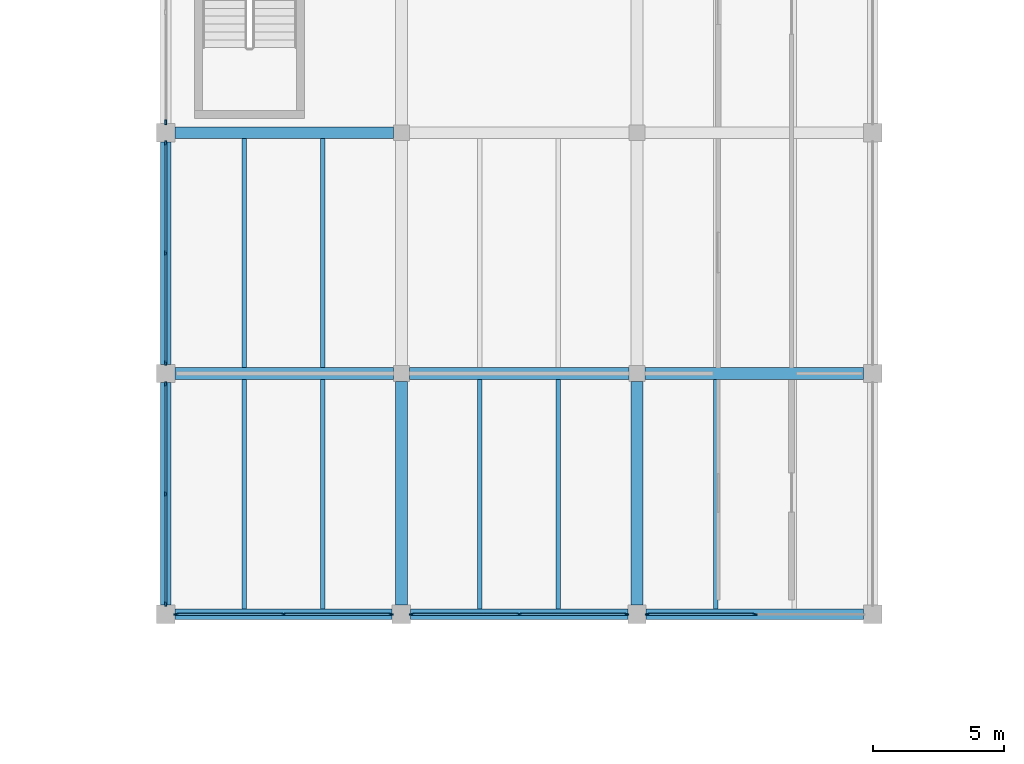
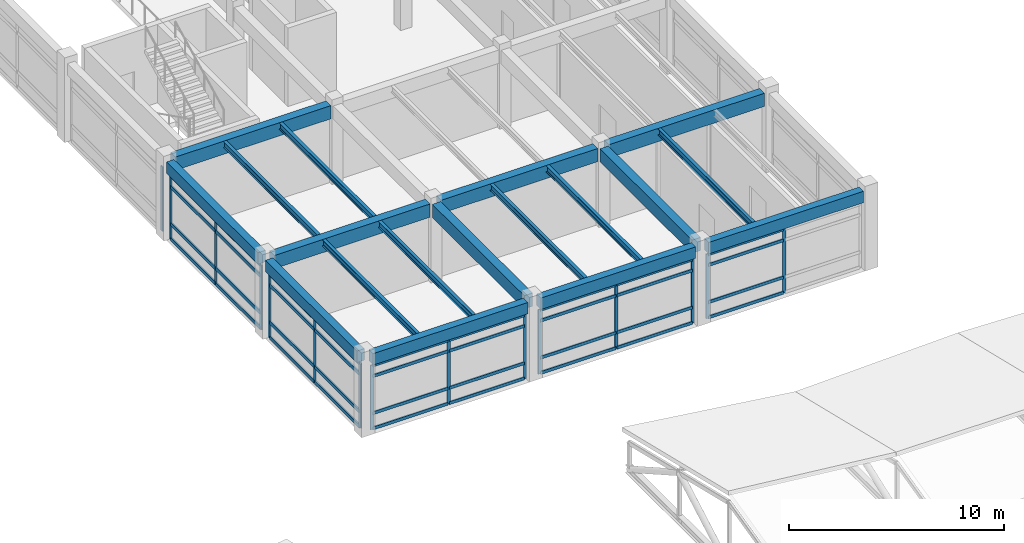
# One storey, part 27 of 90: 51 members, 18 beams, 6 elements without a shape of their own.
"""IFC4 building model written with IfcOpenShell, lengths in metres."""

from ifc_helpers import new_model, si_unit, direction, frame, origin, origin_2d, place, context, subcontext, project, spatial, rectangle, i_section, extrude, material, material_profile, profile_set, type_object, element, aggregate, save


model = new_model("IFC4")

# Units and contexts
model_context = context("Model", 3, precision=1e-05, world=origin(), true_north=direction((0.0, 1.0)))
body_context = subcontext(model_context, "Body", "Model", "MODEL_VIEW")
ifc_project = project(units=[si_unit("LENGTHUNIT", "METRE"), si_unit("AREAUNIT", "SQUARE_METRE"), si_unit("VOLUMEUNIT", "CUBIC_METRE"), si_unit("PLANEANGLEUNIT", "RADIAN"), si_unit("MASSUNIT", "GRAM", prefix="KILO")], contexts=[model_context])

# Site, building, storey
site_placement = place(None, origin())
site = spatial("IfcSite", under=ifc_project, at=site_placement, CompositionType="ELEMENT")
building_placement = place(site_placement, origin())
building = spatial("IfcBuilding", under=site, at=building_placement, Name="Bozkorgan Art Gallery", CompositionType="ELEMENT")
storey_placement = place(building_placement, frame((0.0, 0.0, 5.39990234375)))
storey = spatial("IfcBuildingStorey", under=building, at=storey_placement, Name="L01", CompositionType="ELEMENT", Elevation=5.39990234375)

# Beams
ifc_material_1 = material(Name="Concrete C35/45", Category="concrete")
ifc_material_profile_1 = material_profile(ifc_material_1, rectangle(XDim=0.449951171875, YDim=0.75, at=origin_2d()), Name="RC 450x750")
ifc_profile_set_1 = profile_set([ifc_material_profile_1], Name="Concrete C35/45")
beam_type_1 = type_object("IfcBeamType", Name="BEAM-BM-27", PredefinedType="BEAM", material=ifc_profile_set_1)
beam_1_placement = place(storey_placement, frame((74.35009765625, 47.60009765625, 4.065185546875), z_axis=(1.0, 0.0, 0.0), x_axis=(0.0, 1.0, 0.0)))
element("IfcBeam", 1, at=beam_1_placement, inside=storey, type_object=beam_type_1, Name="V4 L01 beam X (74-83, 47.6)", PredefinedType="BEAM", context=body_context, shape_type="SweptSolid", body=[
    extrude(rectangle(XDim=0.449951171875, YDim=0.75, at=origin_2d()), origin(), (0.0, 0.0, 1.0), 8.349853515625),
])
beam_2_placement = place(storey_placement, frame((83.300048828125, 47.60009765625, 4.065185546875), z_axis=(1.0, 0.0, 0.0), x_axis=(0.0, 1.0, 0.0)))
element("IfcBeam", 2, at=beam_2_placement, inside=storey, type_object=beam_type_1, Name="V4 L01 beam X (83-92, 47.6)", PredefinedType="BEAM", context=body_context, shape_type="SweptSolid", body=[
    extrude(rectangle(XDim=0.449951171875, YDim=0.75, at=origin_2d()), origin(), (0.0, 0.0, 1.0), 8.39990234375),
])
for number, where, z_axis, x_axis, name in (
    (3, (92.300048828125, 47.60009765625, 4.065185546875), (1.0, 0.0, 0.0), (0.0, 1.0, 0.0), "V4 L01 beam X (92-101, 47.6)"),
    (4, (74.35009765625, 56.800048828125, 4.065185546875), (1.0, 0.0, 0.0), (0.0, 1.0, 0.0), "V4 L01 beam X (74-83, 56.8)"),
):
    element("IfcBeam", number, at=place(storey_placement, frame(where, z_axis=z_axis, x_axis=x_axis)), inside=storey, type_object=beam_type_1, Name=name, PredefinedType="BEAM", context=body_context, shape_type="SweptSolid", body=[
        extrude(rectangle(XDim=0.449951171875, YDim=0.75, at=origin_2d()), origin(), (0.0, 0.0, 1.0), 8.349853515625),
    ])
for number, where, z_axis, x_axis, name in (
    (5, (83.0, 38.75, 4.065185546875), (0.0, 1.0, 0.0), (-1.0, 0.0, 0.0), "V4 L01 beam Y (83, 38.4-47.6)"),
    (6, (92.0, 38.75, 4.065185546875), (0.0, 1.0, 0.0), (-1.0, 0.0, 0.0), "V4 L01 beam Y (92, 38.4-47.6)"),
):
    element("IfcBeam", number, at=place(storey_placement, frame(where, z_axis=z_axis, x_axis=x_axis)), inside=storey, type_object=beam_type_1, Name=name, PredefinedType="BEAM", context=body_context, shape_type="SweptSolid", body=[
        extrude(rectangle(XDim=0.449951171875, YDim=0.75, at=origin_2d()), origin(), (0.0, 0.0, 1.0), 8.550048828125),
    ])
ifc_material_2 = material(Name="Steel S355J2", Category="steel")
ifc_material_profile_2 = material_profile(ifc_material_2, i_section(OverallWidth=0.169921875, OverallDepth=0.360107421875, WebThickness=0.008056640625, FlangeThickness=0.0126953125, FilletRadius=0.01806640625, at=origin_2d()), Name="IPE 360")
ifc_profile_set_2 = profile_set([ifc_material_profile_2], Name="Steel S355J2")
beam_type_2 = type_object("IfcBeamType", Name="BEAM-JS-98", PredefinedType="JOIST", material=ifc_profile_set_2)
for number, where, z_axis, x_axis, name in (
    (7, (77.0, 38.60009765625, 4.260009765625), (0.0, 1.0, 0.0), (-1.0, 0.0, 0.0), "V4 L01 secondary joist (74-83, 38.4-47.6) #1"),
    (8, (80.0, 38.60009765625, 4.260009765625), (0.0, 1.0, 0.0), (-1.0, 0.0, 0.0), "V4 L01 secondary joist (74-83, 38.4-47.6) #2"),
):
    element("IfcBeam", number, at=place(storey_placement, frame(where, z_axis=z_axis, x_axis=x_axis)), inside=storey, type_object=beam_type_2, Name=name, PredefinedType="JOIST", context=body_context, shape_type="SweptSolid", body=[
        extrude(i_section(OverallWidth=0.169921875, OverallDepth=0.360107421875, WebThickness=0.008056640625, FlangeThickness=0.0126953125, FilletRadius=0.01806640625, at=origin_2d()), origin(), (0.0, 0.0, 1.0), 8.77490234375),
    ])
for number, where, z_axis, x_axis, name in (
    (9, (77.0, 47.824951171875, 4.260009765625), (0.0, 1.0, 0.0), (-1.0, 0.0, 0.0), "V4 L01 secondary joist (74-83, 47.6-56.8) #1"),
    (10, (80.0, 47.824951171875, 4.260009765625), (0.0, 1.0, 0.0), (-1.0, 0.0, 0.0), "V4 L01 secondary joist (74-83, 47.6-56.8) #2"),
):
    element("IfcBeam", number, at=place(storey_placement, frame(where, z_axis=z_axis, x_axis=x_axis)), inside=storey, type_object=beam_type_2, Name=name, PredefinedType="JOIST", context=body_context, shape_type="SweptSolid", body=[
        extrude(i_section(OverallWidth=0.169921875, OverallDepth=0.360107421875, WebThickness=0.008056640625, FlangeThickness=0.0126953125, FilletRadius=0.01806640625, at=origin_2d()), origin(), (0.0, 0.0, 1.0), 8.75),
    ])
for number, where, z_axis, x_axis, name in (
    (11, (86.0, 38.60009765625, 4.260009765625), (0.0, 1.0, 0.0), (-1.0, 0.0, 0.0), "V4 L01 secondary joist (83-92, 38.4-47.6) #1"),
    (12, (89.0, 38.60009765625, 4.260009765625), (0.0, 1.0, 0.0), (-1.0, 0.0, 0.0), "V4 L01 secondary joist (83-92, 38.4-47.6) #2"),
    (13, (95.0, 38.60009765625, 4.260009765625), (0.0, 1.0, 0.0), (-1.0, 0.0, 0.0), "V4 L01 secondary joist (92-101, 38.4-47.6) #1"),
):
    element("IfcBeam", number, at=place(storey_placement, frame(where, z_axis=z_axis, x_axis=x_axis)), inside=storey, type_object=beam_type_2, Name=name, PredefinedType="JOIST", context=body_context, shape_type="SweptSolid", body=[
        extrude(i_section(OverallWidth=0.169921875, OverallDepth=0.360107421875, WebThickness=0.008056640625, FlangeThickness=0.0126953125, FilletRadius=0.01806640625, at=origin_2d()), origin(), (0.0, 0.0, 1.0), 8.77490234375),
    ])
ifc_material_profile_3 = material_profile(ifc_material_1, rectangle(XDim=0.39990234375, YDim=0.64990234375, at=origin_2d()), Name="RC 400x650")
ifc_profile_set_3 = profile_set([ifc_material_profile_3], Name="Concrete C35/45")
beam_type_3 = type_object("IfcBeamType", Name="BEAM-SP-69", PredefinedType="SPANDREL", material=ifc_profile_set_3)
for number, where, z_axis, x_axis, name in (
    (14, (74.35009765625, 38.39990234375, 4.114990234375), (1.0, 0.0, 0.0), (0.0, 1.0, 0.0), "V4 L01 spandrel X (74-83, 38.4)"),
    (15, (83.35009765625, 38.39990234375, 4.114990234375), (1.0, 0.0, 0.0), (0.0, 1.0, 0.0), "V4 L01 spandrel X (83-92, 38.4)"),
    (16, (92.35009765625, 38.39990234375, 4.114990234375), (1.0, 0.0, 0.0), (0.0, 1.0, 0.0), "V4 L01 spandrel X (92-101, 38.4)"),
):
    element("IfcBeam", number, at=place(storey_placement, frame(where, z_axis=z_axis, x_axis=x_axis)), inside=storey, type_object=beam_type_3, Name=name, PredefinedType="SPANDREL", context=body_context, shape_type="SweptSolid", body=[
        extrude(rectangle(XDim=0.39990234375, YDim=0.64990234375, at=origin_2d()), origin(), (0.0, 0.0, 1.0), 8.2998046875),
    ])
for number, where, z_axis, x_axis, name in (
    (17, (74.0, 38.75, 4.114990234375), (0.0, 1.0, 0.0), (-1.0, 0.0, 0.0), "V4 L01 spandrel Y (74, 38.4-47.6)"),
    (18, (74.0, 47.949951171875, 4.114990234375), (0.0, 1.0, 0.0), (-1.0, 0.0, 0.0), "V4 L01 spandrel Y (74, 47.6-56.8)"),
):
    element("IfcBeam", number, at=place(storey_placement, frame(where, z_axis=z_axis, x_axis=x_axis)), inside=storey, type_object=beam_type_3, Name=name, PredefinedType="SPANDREL", context=body_context, shape_type="SweptSolid", body=[
        extrude(rectangle(XDim=0.39990234375, YDim=0.64990234375, at=origin_2d()), origin(), (0.0, 0.0, 1.0), 8.5),
    ])

# Curtain wall, members
ifc_material_3 = material(Name="Anodised Bronze Aluminium", Category="aluminium")
curtain_wall_type_1 = type_object("IfcCurtainWallType", Name="CW-CW-19", PredefinedType="NOTDEFINED", material=ifc_material_3)
curtain_wall_1_placement = place(storey_placement, origin())
curtain_wall_1 = element("IfcCurtainWall", 19, at=curtain_wall_1_placement, inside=storey, type_object=curtain_wall_type_1, Name="L01 unitised curtain wall CW-V4-L01-1S-01", PredefinedType="NOTDEFINED")
ifc_material_profile_4 = material_profile(ifc_material_3, rectangle(XDim=0.06494140625, YDim=0.179931640625, at=origin_2d()), Name="ALU MULLION 65x180")
ifc_profile_set_4 = profile_set([ifc_material_profile_4], Name="Anodised Bronze Aluminium")
member_type_1 = type_object("IfcMemberType", Name="CWM-01", PredefinedType="MULLION", material=ifc_profile_set_4)
member_1_placement = place(storey_placement, frame((74.3974609375, 38.39990234375, 0.02001953125), z_axis=(0.0, 0.0, 1.0), x_axis=(0.0, 1.0, 0.0)))
member_1 = element("IfcMember", 20, at=member_1_placement, type_object=member_type_1, Name="CW-19 mullion 1", PredefinedType="MULLION", context=body_context, shape_type="SweptSolid", body=[
    extrude(rectangle(XDim=0.06494140625, YDim=0.179931640625, at=origin_2d()), origin(), (0.0, 0.0, 1.0), 3.655029296875),
])
member_2_placement = place(storey_placement, frame((78.5, 38.39990234375, 0.02001953125), z_axis=(0.0, 0.0, 1.0), x_axis=(0.0, 1.0, 0.0)))
member_2 = element("IfcMember", 21, at=member_2_placement, type_object=member_type_1, Name="CW-19 mullion 2", PredefinedType="MULLION", context=body_context, shape_type="SweptSolid", body=[
    extrude(rectangle(XDim=0.06494140625, YDim=0.179931640625, at=origin_2d()), origin(), (0.0, 0.0, 1.0), 3.655029296875),
])
member_3_placement = place(storey_placement, frame((82.6025390625, 38.39990234375, 0.02001953125), z_axis=(0.0, 0.0, 1.0), x_axis=(0.0, 1.0, 0.0)))
member_3 = element("IfcMember", 22, at=member_3_placement, type_object=member_type_1, Name="CW-19 mullion 3", PredefinedType="MULLION", context=body_context, shape_type="SweptSolid", body=[
    extrude(rectangle(XDim=0.06494140625, YDim=0.179931640625, at=origin_2d()), origin(), (0.0, 0.0, 1.0), 3.655029296875),
])

curtain_wall_2_placement = place(storey_placement, origin())
curtain_wall_2 = element("IfcCurtainWall", 23, at=curtain_wall_2_placement, inside=storey, type_object=curtain_wall_type_1, Name="L01 unitised curtain wall CW-V4-L01-1S-03", PredefinedType="NOTDEFINED")
member_4_placement = place(storey_placement, frame((83.3974609375, 38.39990234375, 0.02001953125), z_axis=(0.0, 0.0, 1.0), x_axis=(0.0, 1.0, 0.0)))
member_4 = element("IfcMember", 24, at=member_4_placement, type_object=member_type_1, Name="CW-19 mullion 1", PredefinedType="MULLION", context=body_context, shape_type="SweptSolid", body=[
    extrude(rectangle(XDim=0.06494140625, YDim=0.179931640625, at=origin_2d()), origin(), (0.0, 0.0, 1.0), 3.655029296875),
])
member_5_placement = place(storey_placement, frame((87.5, 38.39990234375, 0.02001953125), z_axis=(0.0, 0.0, 1.0), x_axis=(0.0, 1.0, 0.0)))
member_5 = element("IfcMember", 25, at=member_5_placement, type_object=member_type_1, Name="CW-19 mullion 2", PredefinedType="MULLION", context=body_context, shape_type="SweptSolid", body=[
    extrude(rectangle(XDim=0.06494140625, YDim=0.179931640625, at=origin_2d()), origin(), (0.0, 0.0, 1.0), 3.655029296875),
])
member_6_placement = place(storey_placement, frame((91.6025390625, 38.39990234375, 0.02001953125), z_axis=(0.0, 0.0, 1.0), x_axis=(0.0, 1.0, 0.0)))
member_6 = element("IfcMember", 26, at=member_6_placement, type_object=member_type_1, Name="CW-19 mullion 3", PredefinedType="MULLION", context=body_context, shape_type="SweptSolid", body=[
    extrude(rectangle(XDim=0.06494140625, YDim=0.179931640625, at=origin_2d()), origin(), (0.0, 0.0, 1.0), 3.655029296875),
])

curtain_wall_3_placement = place(storey_placement, origin())
curtain_wall_3 = element("IfcCurtainWall", 27, at=curtain_wall_3_placement, inside=storey, type_object=curtain_wall_type_1, Name="L01 unitised curtain wall CW-V4-L01-1S-05", PredefinedType="NOTDEFINED")
member_7_placement = place(storey_placement, frame((92.3974609375, 38.39990234375, 0.02001953125), z_axis=(0.0, 0.0, 1.0), x_axis=(0.0, 1.0, 0.0)))
member_7 = element("IfcMember", 28, at=member_7_placement, type_object=member_type_1, Name="CW-19 mullion 1", PredefinedType="MULLION", context=body_context, shape_type="SweptSolid", body=[
    extrude(rectangle(XDim=0.06494140625, YDim=0.179931640625, at=origin_2d()), origin(), (0.0, 0.0, 1.0), 3.655029296875),
])
member_8_placement = place(storey_placement, frame((96.5, 38.39990234375, 0.02001953125), z_axis=(0.0, 0.0, 1.0), x_axis=(0.0, 1.0, 0.0)))
member_8 = element("IfcMember", 29, at=member_8_placement, type_object=member_type_1, Name="CW-19 mullion 2", PredefinedType="MULLION", context=body_context, shape_type="SweptSolid", body=[
    extrude(rectangle(XDim=0.06494140625, YDim=0.179931640625, at=origin_2d()), origin(), (0.0, 0.0, 1.0), 3.655029296875),
])

curtain_wall_type_2 = type_object("IfcCurtainWallType", Name="CW-CW-16", PredefinedType="NOTDEFINED", material=ifc_material_3)
curtain_wall_4_placement = place(storey_placement, origin())
curtain_wall_4 = element("IfcCurtainWall", 30, at=curtain_wall_4_placement, inside=storey, type_object=curtain_wall_type_2, Name="L01 unitised curtain wall CW-V4-L01-1W-07", PredefinedType="NOTDEFINED")
member_9_placement = place(storey_placement, frame((74.0, 38.797607421875, 0.02001953125), z_axis=(0.0, 0.0, 1.0), x_axis=(-1.0, 0.0, 0.0)))
member_9 = element("IfcMember", 31, at=member_9_placement, type_object=member_type_1, Name="CW-16 mullion 1", PredefinedType="MULLION", context=body_context, shape_type="SweptSolid", body=[
    extrude(rectangle(XDim=0.06494140625, YDim=0.179931640625, at=origin_2d()), origin(), (0.0, 0.0, 1.0), 3.655029296875),
])
member_10_placement = place(storey_placement, frame((74.0, 43.0, 0.02001953125), z_axis=(0.0, 0.0, 1.0), x_axis=(-1.0, 0.0, 0.0)))
member_10 = element("IfcMember", 32, at=member_10_placement, type_object=member_type_1, Name="CW-16 mullion 2", PredefinedType="MULLION", context=body_context, shape_type="SweptSolid", body=[
    extrude(rectangle(XDim=0.06494140625, YDim=0.179931640625, at=origin_2d()), origin(), (0.0, 0.0, 1.0), 3.655029296875),
])
member_11_placement = place(storey_placement, frame((74.0, 47.202392578125, 0.02001953125), z_axis=(0.0, 0.0, 1.0), x_axis=(-1.0, 0.0, 0.0)))
member_11 = element("IfcMember", 33, at=member_11_placement, type_object=member_type_1, Name="CW-16 mullion 3", PredefinedType="MULLION", context=body_context, shape_type="SweptSolid", body=[
    extrude(rectangle(XDim=0.06494140625, YDim=0.179931640625, at=origin_2d()), origin(), (0.0, 0.0, 1.0), 3.655029296875),
])

curtain_wall_5_placement = place(storey_placement, origin())
curtain_wall_5 = element("IfcCurtainWall", 34, at=curtain_wall_5_placement, inside=storey, type_object=curtain_wall_type_2, Name="L01 unitised curtain wall CW-V4-L01-1W-09", PredefinedType="NOTDEFINED")
member_12_placement = place(storey_placement, frame((74.0, 47.99755859375, 0.02001953125), z_axis=(0.0, 0.0, 1.0), x_axis=(-1.0, 0.0, 0.0)))
member_12 = element("IfcMember", 35, at=member_12_placement, type_object=member_type_1, Name="CW-16 mullion 1", PredefinedType="MULLION", context=body_context, shape_type="SweptSolid", body=[
    extrude(rectangle(XDim=0.06494140625, YDim=0.179931640625, at=origin_2d()), origin(), (0.0, 0.0, 1.0), 3.655029296875),
])
member_13_placement = place(storey_placement, frame((74.0, 52.199951171875, 0.02001953125), z_axis=(0.0, 0.0, 1.0), x_axis=(-1.0, 0.0, 0.0)))
member_13 = element("IfcMember", 36, at=member_13_placement, type_object=member_type_1, Name="CW-16 mullion 2", PredefinedType="MULLION", context=body_context, shape_type="SweptSolid", body=[
    extrude(rectangle(XDim=0.06494140625, YDim=0.179931640625, at=origin_2d()), origin(), (0.0, 0.0, 1.0), 3.655029296875),
])
member_14_placement = place(storey_placement, frame((74.0, 56.402587890625, 0.02001953125), z_axis=(0.0, 0.0, 1.0), x_axis=(-1.0, 0.0, 0.0)))
member_14 = element("IfcMember", 37, at=member_14_placement, type_object=member_type_1, Name="CW-16 mullion 3", PredefinedType="MULLION", context=body_context, shape_type="SweptSolid", body=[
    extrude(rectangle(XDim=0.06494140625, YDim=0.179931640625, at=origin_2d()), origin(), (0.0, 0.0, 1.0), 3.655029296875),
])

# Curtain wall, member
curtain_wall_6_placement = place(storey_placement, origin())
curtain_wall_6 = element("IfcCurtainWall", 38, at=curtain_wall_6_placement, inside=storey, type_object=curtain_wall_type_2, Name="L01 unitised curtain wall CW-V4-L01-1W-11", PredefinedType="NOTDEFINED")
member_15_placement = place(storey_placement, frame((74.0, 57.197509765625, 0.02001953125), z_axis=(0.0, 0.0, 1.0), x_axis=(-1.0, 0.0, 0.0)))
member_15 = element("IfcMember", 39, at=member_15_placement, type_object=member_type_1, Name="CW-16 mullion 1", PredefinedType="MULLION", context=body_context, shape_type="SweptSolid", body=[
    extrude(rectangle(XDim=0.06494140625, YDim=0.179931640625, at=origin_2d()), origin(), (0.0, 0.0, 1.0), 3.655029296875),
])
aggregate(curtain_wall_6, [member_15])

# Member
ifc_material_profile_5 = material_profile(ifc_material_3, rectangle(XDim=0.074951171875, YDim=0.169921875, at=origin_2d()), Name="ALU TRANSOM 75x170")
ifc_profile_set_5 = profile_set([ifc_material_profile_5], Name="Anodised Bronze Aluminium")
member_type_2 = type_object("IfcMemberType", Name="CWT-02", PredefinedType="USERDEFINED", material=ifc_profile_set_5)
member_16_placement = place(storey_placement, frame((74.429931640625, 38.39990234375, 0.0576171875), z_axis=(1.0, 0.0, 0.0), x_axis=(0.0, 1.0, 0.0)))
member_16 = element("IfcMember", 40, at=member_16_placement, type_object=member_type_2, Name="CW-19 transom 1.1", ObjectType="TRANSOM", PredefinedType="USERDEFINED", context=body_context, shape_type="SweptSolid", body=[
    extrude(rectangle(XDim=0.074951171875, YDim=0.169921875, at=origin_2d()), origin(), (0.0, 0.0, 1.0), 4.03759765625),
])

member_17_placement = place(storey_placement, frame((74.429931640625, 38.39990234375, 0.920166015625), z_axis=(1.0, 0.0, 0.0), x_axis=(0.0, 1.0, 0.0)))
member_17 = element("IfcMember", 41, at=member_17_placement, type_object=member_type_2, Name="CW-19 transom 1.2", ObjectType="TRANSOM", PredefinedType="USERDEFINED", context=body_context, shape_type="SweptSolid", body=[
    extrude(rectangle(XDim=0.074951171875, YDim=0.169921875, at=origin_2d()), origin(), (0.0, 0.0, 1.0), 4.03759765625),
])

member_18_placement = place(storey_placement, frame((74.429931640625, 38.39990234375, 3.025146484375), z_axis=(1.0, 0.0, 0.0), x_axis=(0.0, 1.0, 0.0)))
member_18 = element("IfcMember", 42, at=member_18_placement, type_object=member_type_2, Name="CW-19 transom 1.3", ObjectType="TRANSOM", PredefinedType="USERDEFINED", context=body_context, shape_type="SweptSolid", body=[
    extrude(rectangle(XDim=0.074951171875, YDim=0.169921875, at=origin_2d()), origin(), (0.0, 0.0, 1.0), 4.03759765625),
])

member_19_placement = place(storey_placement, frame((74.429931640625, 38.39990234375, 3.6376953125), z_axis=(1.0, 0.0, 0.0), x_axis=(0.0, 1.0, 0.0)))
member_19 = element("IfcMember", 43, at=member_19_placement, type_object=member_type_2, Name="CW-19 transom 1.4", ObjectType="TRANSOM", PredefinedType="USERDEFINED", context=body_context, shape_type="SweptSolid", body=[
    extrude(rectangle(XDim=0.074951171875, YDim=0.169921875, at=origin_2d()), origin(), (0.0, 0.0, 1.0), 4.03759765625),
])

member_20_placement = place(storey_placement, frame((78.532470703125, 38.39990234375, 0.0576171875), z_axis=(1.0, 0.0, 0.0), x_axis=(0.0, 1.0, 0.0)))
member_20 = element("IfcMember", 44, at=member_20_placement, type_object=member_type_2, Name="CW-19 transom 2.1", ObjectType="TRANSOM", PredefinedType="USERDEFINED", context=body_context, shape_type="SweptSolid", body=[
    extrude(rectangle(XDim=0.074951171875, YDim=0.169921875, at=origin_2d()), origin(), (0.0, 0.0, 1.0), 4.03759765625),
])

member_21_placement = place(storey_placement, frame((78.532470703125, 38.39990234375, 0.920166015625), z_axis=(1.0, 0.0, 0.0), x_axis=(0.0, 1.0, 0.0)))
member_21 = element("IfcMember", 45, at=member_21_placement, type_object=member_type_2, Name="CW-19 transom 2.2", ObjectType="TRANSOM", PredefinedType="USERDEFINED", context=body_context, shape_type="SweptSolid", body=[
    extrude(rectangle(XDim=0.074951171875, YDim=0.169921875, at=origin_2d()), origin(), (0.0, 0.0, 1.0), 4.03759765625),
])

member_22_placement = place(storey_placement, frame((78.532470703125, 38.39990234375, 3.025146484375), z_axis=(1.0, 0.0, 0.0), x_axis=(0.0, 1.0, 0.0)))
member_22 = element("IfcMember", 46, at=member_22_placement, type_object=member_type_2, Name="CW-19 transom 2.3", ObjectType="TRANSOM", PredefinedType="USERDEFINED", context=body_context, shape_type="SweptSolid", body=[
    extrude(rectangle(XDim=0.074951171875, YDim=0.169921875, at=origin_2d()), origin(), (0.0, 0.0, 1.0), 4.03759765625),
])

member_23_placement = place(storey_placement, frame((78.532470703125, 38.39990234375, 3.6376953125), z_axis=(1.0, 0.0, 0.0), x_axis=(0.0, 1.0, 0.0)))
member_23 = element("IfcMember", 47, at=member_23_placement, type_object=member_type_2, Name="CW-19 transom 2.4", ObjectType="TRANSOM", PredefinedType="USERDEFINED", context=body_context, shape_type="SweptSolid", body=[
    extrude(rectangle(XDim=0.074951171875, YDim=0.169921875, at=origin_2d()), origin(), (0.0, 0.0, 1.0), 4.03759765625),
])

aggregate(curtain_wall_1, [member_1, member_2, member_3, member_16, member_17, member_18, member_19, member_20, member_21, member_22, member_23])

member_24_placement = place(storey_placement, frame((83.429931640625, 38.39990234375, 0.0576171875), z_axis=(1.0, 0.0, 0.0), x_axis=(0.0, 1.0, 0.0)))
member_24 = element("IfcMember", 48, at=member_24_placement, type_object=member_type_2, Name="CW-19 transom 1.1", ObjectType="TRANSOM", PredefinedType="USERDEFINED", context=body_context, shape_type="SweptSolid", body=[
    extrude(rectangle(XDim=0.074951171875, YDim=0.169921875, at=origin_2d()), origin(), (0.0, 0.0, 1.0), 4.03759765625),
])

member_25_placement = place(storey_placement, frame((83.429931640625, 38.39990234375, 0.920166015625), z_axis=(1.0, 0.0, 0.0), x_axis=(0.0, 1.0, 0.0)))
member_25 = element("IfcMember", 49, at=member_25_placement, type_object=member_type_2, Name="CW-19 transom 1.2", ObjectType="TRANSOM", PredefinedType="USERDEFINED", context=body_context, shape_type="SweptSolid", body=[
    extrude(rectangle(XDim=0.074951171875, YDim=0.169921875, at=origin_2d()), origin(), (0.0, 0.0, 1.0), 4.03759765625),
])

member_26_placement = place(storey_placement, frame((83.429931640625, 38.39990234375, 3.025146484375), z_axis=(1.0, 0.0, 0.0), x_axis=(0.0, 1.0, 0.0)))
member_26 = element("IfcMember", 50, at=member_26_placement, type_object=member_type_2, Name="CW-19 transom 1.3", ObjectType="TRANSOM", PredefinedType="USERDEFINED", context=body_context, shape_type="SweptSolid", body=[
    extrude(rectangle(XDim=0.074951171875, YDim=0.169921875, at=origin_2d()), origin(), (0.0, 0.0, 1.0), 4.03759765625),
])

member_27_placement = place(storey_placement, frame((83.429931640625, 38.39990234375, 3.6376953125), z_axis=(1.0, 0.0, 0.0), x_axis=(0.0, 1.0, 0.0)))
member_27 = element("IfcMember", 51, at=member_27_placement, type_object=member_type_2, Name="CW-19 transom 1.4", ObjectType="TRANSOM", PredefinedType="USERDEFINED", context=body_context, shape_type="SweptSolid", body=[
    extrude(rectangle(XDim=0.074951171875, YDim=0.169921875, at=origin_2d()), origin(), (0.0, 0.0, 1.0), 4.03759765625),
])

member_28_placement = place(storey_placement, frame((87.532470703125, 38.39990234375, 0.0576171875), z_axis=(1.0, 0.0, 0.0), x_axis=(0.0, 1.0, 0.0)))
member_28 = element("IfcMember", 52, at=member_28_placement, type_object=member_type_2, Name="CW-19 transom 2.1", ObjectType="TRANSOM", PredefinedType="USERDEFINED", context=body_context, shape_type="SweptSolid", body=[
    extrude(rectangle(XDim=0.074951171875, YDim=0.169921875, at=origin_2d()), origin(), (0.0, 0.0, 1.0), 4.03759765625),
])

member_29_placement = place(storey_placement, frame((87.532470703125, 38.39990234375, 0.920166015625), z_axis=(1.0, 0.0, 0.0), x_axis=(0.0, 1.0, 0.0)))
member_29 = element("IfcMember", 53, at=member_29_placement, type_object=member_type_2, Name="CW-19 transom 2.2", ObjectType="TRANSOM", PredefinedType="USERDEFINED", context=body_context, shape_type="SweptSolid", body=[
    extrude(rectangle(XDim=0.074951171875, YDim=0.169921875, at=origin_2d()), origin(), (0.0, 0.0, 1.0), 4.03759765625),
])

member_30_placement = place(storey_placement, frame((87.532470703125, 38.39990234375, 3.025146484375), z_axis=(1.0, 0.0, 0.0), x_axis=(0.0, 1.0, 0.0)))
member_30 = element("IfcMember", 54, at=member_30_placement, type_object=member_type_2, Name="CW-19 transom 2.3", ObjectType="TRANSOM", PredefinedType="USERDEFINED", context=body_context, shape_type="SweptSolid", body=[
    extrude(rectangle(XDim=0.074951171875, YDim=0.169921875, at=origin_2d()), origin(), (0.0, 0.0, 1.0), 4.03759765625),
])

member_31_placement = place(storey_placement, frame((87.532470703125, 38.39990234375, 3.6376953125), z_axis=(1.0, 0.0, 0.0), x_axis=(0.0, 1.0, 0.0)))
member_31 = element("IfcMember", 55, at=member_31_placement, type_object=member_type_2, Name="CW-19 transom 2.4", ObjectType="TRANSOM", PredefinedType="USERDEFINED", context=body_context, shape_type="SweptSolid", body=[
    extrude(rectangle(XDim=0.074951171875, YDim=0.169921875, at=origin_2d()), origin(), (0.0, 0.0, 1.0), 4.03759765625),
])

aggregate(curtain_wall_2, [member_4, member_5, member_6, member_24, member_25, member_26, member_27, member_28, member_29, member_30, member_31])

member_32_placement = place(storey_placement, frame((92.429931640625, 38.39990234375, 0.0576171875), z_axis=(1.0, 0.0, 0.0), x_axis=(0.0, 1.0, 0.0)))
member_32 = element("IfcMember", 56, at=member_32_placement, type_object=member_type_2, Name="CW-19 transom 1.1", ObjectType="TRANSOM", PredefinedType="USERDEFINED", context=body_context, shape_type="SweptSolid", body=[
    extrude(rectangle(XDim=0.074951171875, YDim=0.169921875, at=origin_2d()), origin(), (0.0, 0.0, 1.0), 4.03759765625),
])

member_33_placement = place(storey_placement, frame((92.429931640625, 38.39990234375, 0.920166015625), z_axis=(1.0, 0.0, 0.0), x_axis=(0.0, 1.0, 0.0)))
member_33 = element("IfcMember", 57, at=member_33_placement, type_object=member_type_2, Name="CW-19 transom 1.2", ObjectType="TRANSOM", PredefinedType="USERDEFINED", context=body_context, shape_type="SweptSolid", body=[
    extrude(rectangle(XDim=0.074951171875, YDim=0.169921875, at=origin_2d()), origin(), (0.0, 0.0, 1.0), 4.03759765625),
])

member_34_placement = place(storey_placement, frame((92.429931640625, 38.39990234375, 3.025146484375), z_axis=(1.0, 0.0, 0.0), x_axis=(0.0, 1.0, 0.0)))
member_34 = element("IfcMember", 58, at=member_34_placement, type_object=member_type_2, Name="CW-19 transom 1.3", ObjectType="TRANSOM", PredefinedType="USERDEFINED", context=body_context, shape_type="SweptSolid", body=[
    extrude(rectangle(XDim=0.074951171875, YDim=0.169921875, at=origin_2d()), origin(), (0.0, 0.0, 1.0), 4.03759765625),
])

member_35_placement = place(storey_placement, frame((92.429931640625, 38.39990234375, 3.6376953125), z_axis=(1.0, 0.0, 0.0), x_axis=(0.0, 1.0, 0.0)))
member_35 = element("IfcMember", 59, at=member_35_placement, type_object=member_type_2, Name="CW-19 transom 1.4", ObjectType="TRANSOM", PredefinedType="USERDEFINED", context=body_context, shape_type="SweptSolid", body=[
    extrude(rectangle(XDim=0.074951171875, YDim=0.169921875, at=origin_2d()), origin(), (0.0, 0.0, 1.0), 4.03759765625),
])

aggregate(curtain_wall_3, [member_7, member_8, member_32, member_33, member_34, member_35])

ifc_material_profile_6 = material_profile(ifc_material_3, rectangle(XDim=0.080078125, YDim=0.199951171875, at=origin_2d()), Name="ALU TRANSOM 80x200")
ifc_profile_set_6 = profile_set([ifc_material_profile_6], Name="Anodised Bronze Aluminium")
member_type_3 = type_object("IfcMemberType", Name="CWT-03", PredefinedType="USERDEFINED", material=ifc_profile_set_6)
member_36_placement = place(storey_placement, frame((74.0, 38.830078125, 0.06005859375), z_axis=(0.0, 1.0, 0.0), x_axis=(-1.0, 0.0, 0.0)))
member_36 = element("IfcMember", 60, at=member_36_placement, type_object=member_type_3, Name="CW-16 transom 1.1", ObjectType="TRANSOM", PredefinedType="USERDEFINED", context=body_context, shape_type="SweptSolid", body=[
    extrude(rectangle(XDim=0.080078125, YDim=0.199951171875, at=origin_2d()), origin(), (0.0, 0.0, 1.0), 4.137451171875),
])

member_37_placement = place(storey_placement, frame((74.0, 38.830078125, 0.920166015625), z_axis=(0.0, 1.0, 0.0), x_axis=(-1.0, 0.0, 0.0)))
member_37 = element("IfcMember", 61, at=member_37_placement, type_object=member_type_3, Name="CW-16 transom 1.2", ObjectType="TRANSOM", PredefinedType="USERDEFINED", context=body_context, shape_type="SweptSolid", body=[
    extrude(rectangle(XDim=0.080078125, YDim=0.199951171875, at=origin_2d()), origin(), (0.0, 0.0, 1.0), 4.137451171875),
])

member_38_placement = place(storey_placement, frame((74.0, 38.830078125, 3.025146484375), z_axis=(0.0, 1.0, 0.0), x_axis=(-1.0, 0.0, 0.0)))
member_38 = element("IfcMember", 62, at=member_38_placement, type_object=member_type_3, Name="CW-16 transom 1.3", ObjectType="TRANSOM", PredefinedType="USERDEFINED", context=body_context, shape_type="SweptSolid", body=[
    extrude(rectangle(XDim=0.080078125, YDim=0.199951171875, at=origin_2d()), origin(), (0.0, 0.0, 1.0), 4.137451171875),
])

member_39_placement = place(storey_placement, frame((74.0, 38.830078125, 3.635009765625), z_axis=(0.0, 1.0, 0.0), x_axis=(-1.0, 0.0, 0.0)))
member_39 = element("IfcMember", 63, at=member_39_placement, type_object=member_type_3, Name="CW-16 transom 1.4", ObjectType="TRANSOM", PredefinedType="USERDEFINED", context=body_context, shape_type="SweptSolid", body=[
    extrude(rectangle(XDim=0.080078125, YDim=0.199951171875, at=origin_2d()), origin(), (0.0, 0.0, 1.0), 4.137451171875),
])

member_40_placement = place(storey_placement, frame((74.0, 43.032470703125, 0.06005859375), z_axis=(0.0, 1.0, 0.0), x_axis=(-1.0, 0.0, 0.0)))
member_40 = element("IfcMember", 64, at=member_40_placement, type_object=member_type_3, Name="CW-16 transom 2.1", ObjectType="TRANSOM", PredefinedType="USERDEFINED", context=body_context, shape_type="SweptSolid", body=[
    extrude(rectangle(XDim=0.080078125, YDim=0.199951171875, at=origin_2d()), origin(), (0.0, 0.0, 1.0), 4.137451171875),
])

member_41_placement = place(storey_placement, frame((74.0, 43.032470703125, 0.920166015625), z_axis=(0.0, 1.0, 0.0), x_axis=(-1.0, 0.0, 0.0)))
member_41 = element("IfcMember", 65, at=member_41_placement, type_object=member_type_3, Name="CW-16 transom 2.2", ObjectType="TRANSOM", PredefinedType="USERDEFINED", context=body_context, shape_type="SweptSolid", body=[
    extrude(rectangle(XDim=0.080078125, YDim=0.199951171875, at=origin_2d()), origin(), (0.0, 0.0, 1.0), 4.137451171875),
])

member_42_placement = place(storey_placement, frame((74.0, 43.032470703125, 3.025146484375), z_axis=(0.0, 1.0, 0.0), x_axis=(-1.0, 0.0, 0.0)))
member_42 = element("IfcMember", 66, at=member_42_placement, type_object=member_type_3, Name="CW-16 transom 2.3", ObjectType="TRANSOM", PredefinedType="USERDEFINED", context=body_context, shape_type="SweptSolid", body=[
    extrude(rectangle(XDim=0.080078125, YDim=0.199951171875, at=origin_2d()), origin(), (0.0, 0.0, 1.0), 4.137451171875),
])

member_43_placement = place(storey_placement, frame((74.0, 43.032470703125, 3.635009765625), z_axis=(0.0, 1.0, 0.0), x_axis=(-1.0, 0.0, 0.0)))
member_43 = element("IfcMember", 67, at=member_43_placement, type_object=member_type_3, Name="CW-16 transom 2.4", ObjectType="TRANSOM", PredefinedType="USERDEFINED", context=body_context, shape_type="SweptSolid", body=[
    extrude(rectangle(XDim=0.080078125, YDim=0.199951171875, at=origin_2d()), origin(), (0.0, 0.0, 1.0), 4.137451171875),
])

aggregate(curtain_wall_4, [member_9, member_10, member_11, member_36, member_37, member_38, member_39, member_40, member_41, member_42, member_43])

member_44_placement = place(storey_placement, frame((74.0, 48.030029296875, 0.06005859375), z_axis=(0.0, 1.0, 0.0), x_axis=(-1.0, 0.0, 0.0)))
member_44 = element("IfcMember", 68, at=member_44_placement, type_object=member_type_3, Name="CW-16 transom 1.1", ObjectType="TRANSOM", PredefinedType="USERDEFINED", context=body_context, shape_type="SweptSolid", body=[
    extrude(rectangle(XDim=0.080078125, YDim=0.199951171875, at=origin_2d()), origin(), (0.0, 0.0, 1.0), 4.137451171875),
])

member_45_placement = place(storey_placement, frame((74.0, 48.030029296875, 0.920166015625), z_axis=(0.0, 1.0, 0.0), x_axis=(-1.0, 0.0, 0.0)))
member_45 = element("IfcMember", 69, at=member_45_placement, type_object=member_type_3, Name="CW-16 transom 1.2", ObjectType="TRANSOM", PredefinedType="USERDEFINED", context=body_context, shape_type="SweptSolid", body=[
    extrude(rectangle(XDim=0.080078125, YDim=0.199951171875, at=origin_2d()), origin(), (0.0, 0.0, 1.0), 4.137451171875),
])

member_46_placement = place(storey_placement, frame((74.0, 48.030029296875, 3.025146484375), z_axis=(0.0, 1.0, 0.0), x_axis=(-1.0, 0.0, 0.0)))
member_46 = element("IfcMember", 70, at=member_46_placement, type_object=member_type_3, Name="CW-16 transom 1.3", ObjectType="TRANSOM", PredefinedType="USERDEFINED", context=body_context, shape_type="SweptSolid", body=[
    extrude(rectangle(XDim=0.080078125, YDim=0.199951171875, at=origin_2d()), origin(), (0.0, 0.0, 1.0), 4.137451171875),
])

member_47_placement = place(storey_placement, frame((74.0, 48.030029296875, 3.635009765625), z_axis=(0.0, 1.0, 0.0), x_axis=(-1.0, 0.0, 0.0)))
member_47 = element("IfcMember", 71, at=member_47_placement, type_object=member_type_3, Name="CW-16 transom 1.4", ObjectType="TRANSOM", PredefinedType="USERDEFINED", context=body_context, shape_type="SweptSolid", body=[
    extrude(rectangle(XDim=0.080078125, YDim=0.199951171875, at=origin_2d()), origin(), (0.0, 0.0, 1.0), 4.137451171875),
])

member_48_placement = place(storey_placement, frame((74.0, 52.232421875, 0.06005859375), z_axis=(0.0, 1.0, 0.0), x_axis=(-1.0, 0.0, 0.0)))
member_48 = element("IfcMember", 72, at=member_48_placement, type_object=member_type_3, Name="CW-16 transom 2.1", ObjectType="TRANSOM", PredefinedType="USERDEFINED", context=body_context, shape_type="SweptSolid", body=[
    extrude(rectangle(XDim=0.080078125, YDim=0.199951171875, at=origin_2d()), origin(), (0.0, 0.0, 1.0), 4.1376953125),
])

member_49_placement = place(storey_placement, frame((74.0, 52.232421875, 0.920166015625), z_axis=(0.0, 1.0, 0.0), x_axis=(-1.0, 0.0, 0.0)))
member_49 = element("IfcMember", 73, at=member_49_placement, type_object=member_type_3, Name="CW-16 transom 2.2", ObjectType="TRANSOM", PredefinedType="USERDEFINED", context=body_context, shape_type="SweptSolid", body=[
    extrude(rectangle(XDim=0.080078125, YDim=0.199951171875, at=origin_2d()), origin(), (0.0, 0.0, 1.0), 4.1376953125),
])

member_50_placement = place(storey_placement, frame((74.0, 52.232421875, 3.025146484375), z_axis=(0.0, 1.0, 0.0), x_axis=(-1.0, 0.0, 0.0)))
member_50 = element("IfcMember", 74, at=member_50_placement, type_object=member_type_3, Name="CW-16 transom 2.3", ObjectType="TRANSOM", PredefinedType="USERDEFINED", context=body_context, shape_type="SweptSolid", body=[
    extrude(rectangle(XDim=0.080078125, YDim=0.199951171875, at=origin_2d()), origin(), (0.0, 0.0, 1.0), 4.1376953125),
])

member_51_placement = place(storey_placement, frame((74.0, 52.232421875, 3.635009765625), z_axis=(0.0, 1.0, 0.0), x_axis=(-1.0, 0.0, 0.0)))
member_51 = element("IfcMember", 75, at=member_51_placement, type_object=member_type_3, Name="CW-16 transom 2.4", ObjectType="TRANSOM", PredefinedType="USERDEFINED", context=body_context, shape_type="SweptSolid", body=[
    extrude(rectangle(XDim=0.080078125, YDim=0.199951171875, at=origin_2d()), origin(), (0.0, 0.0, 1.0), 4.1376953125),
])

aggregate(curtain_wall_5, [member_12, member_13, member_14, member_44, member_45, member_46, member_47, member_48, member_49, member_50, member_51])

save(model, "model.ifc")
